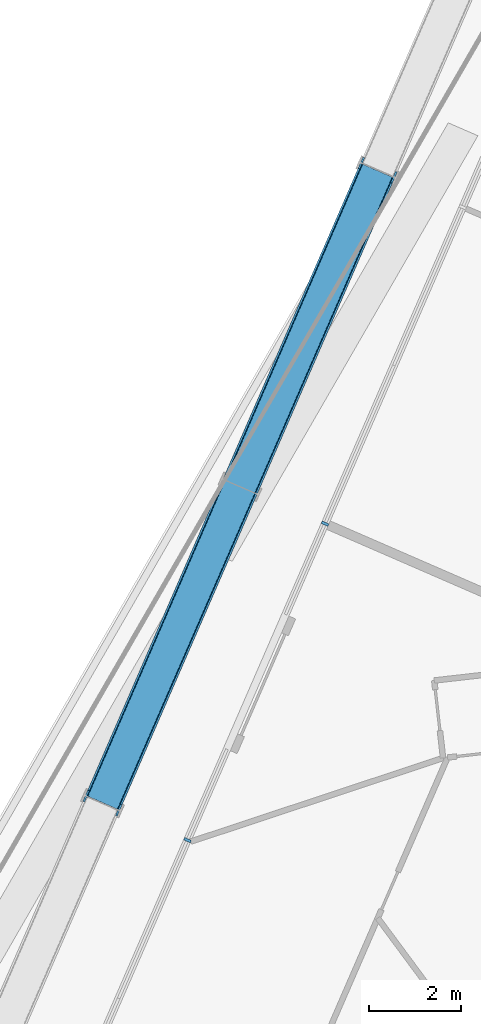
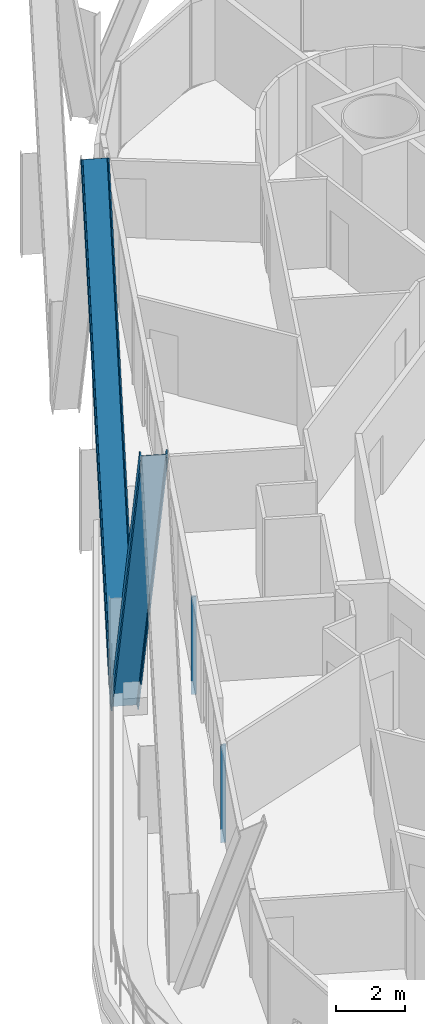
# One storey, part 5 of 32: 4 members, 1 element without a shape of its own.
"""IFC4 building model written with IfcOpenShell, lengths in metres."""

from ifc_helpers import new_model, si_unit, direction, frame, origin, origin_2d, place, context, subcontext, project, spatial, rectangle, i_section, extrude, material, layer, layer_set, material_profile, profile_set, type_object, element, aggregate, save


model = new_model("IFC4")

# Units and contexts
model_context = context("Model", 3, precision=1e-05, world=origin(), true_north=direction((0.0, 1.0)))
body_context = subcontext(model_context, "Body", "Model", "MODEL_VIEW")
ifc_project = project(units=[si_unit("LENGTHUNIT", "METRE"), si_unit("AREAUNIT", "SQUARE_METRE"), si_unit("VOLUMEUNIT", "CUBIC_METRE"), si_unit("PLANEANGLEUNIT", "RADIAN"), si_unit("MASSUNIT", "GRAM", prefix="KILO")], contexts=[model_context])

# Site, building, storey
site_placement = place(None, origin())
site = spatial("IfcSite", under=ifc_project, at=site_placement, CompositionType="ELEMENT")
building_placement = place(site_placement, origin())
building = spatial("IfcBuilding", under=site, at=building_placement, Name="Spindle Arch Residences", CompositionType="ELEMENT")
storey_placement = place(building_placement, frame((0.0, 0.0, 76.699951171875)))
storey = spatial("IfcBuildingStorey", under=building, at=storey_placement, Name="L17", CompositionType="ELEMENT", Elevation=76.699951171875)

# Curtain wall, members
ifc_material_1 = material(Name="Aluminium bronze unitised frame with tinted glass", Category="aluminium")
ifc_layer = layer(ifc_material_1, 0.159912109375)
ifc_layer_set = layer_set([ifc_layer], Name="CW-C typical residential unitised wall")
curtain_wall_type = type_object("IfcCurtainWallType", Name="CW-C typical residential unitised wall", PredefinedType="NOTDEFINED", material=ifc_layer_set)
curtain_wall_placement = place(storey_placement, origin())
curtain_wall = element("IfcCurtainWall", 1, at=curtain_wall_placement, inside=storey, type_object=curtain_wall_type, Name="CW-C L17 run 4", PredefinedType="NOTDEFINED")
ifc_material_2 = material(Name="Aluminium bronze anodised mullion", Category="aluminium")
ifc_material_profile_1 = material_profile(ifc_material_2, rectangle(XDim=0.159912109375, YDim=0.06005859375, at=origin_2d()), Name="MU 60x160")
ifc_profile_set_1 = profile_set([ifc_material_profile_1], Name="Aluminium bronze anodised mullion")
member_type_1 = type_object("IfcMemberType", Name="Bronze mullion 60x160", PredefinedType="MULLION", material=ifc_profile_set_1)
member_1_placement = place(storey_placement, frame((-19.232666015625, 4.26318359375, -0.449951171875), z_axis=(0.0, 0.0, 1.0), x_axis=(0.917060074385, -0.398749068925, 0.0)))
member_1 = element("IfcMember", 2, at=member_1_placement, type_object=member_type_1, Name="CW-C mullion 16", PredefinedType="MULLION", context=body_context, shape_type="SweptSolid", body=[
    extrude(rectangle(XDim=0.159912109375, YDim=0.06005859375, at=origin_2d()), origin(), (0.0, 0.0, 1.0), 3.449951171875),
])
member_2_placement = place(storey_placement, frame((-22.23095703125, -2.632080078125, -0.449951171875), z_axis=(0.0, 0.0, 1.0), x_axis=(0.917060074385, -0.398749068925, 0.0)))
member_2 = element("IfcMember", 3, at=member_2_placement, type_object=member_type_1, Name="CW-C mullion 17", PredefinedType="MULLION", context=body_context, shape_type="SweptSolid", body=[
    extrude(rectangle(XDim=0.159912109375, YDim=0.06005859375, at=origin_2d()), origin(), (0.0, 0.0, 1.0), 3.449951171875),
])
aggregate(curtain_wall, [member_1, member_2])

# Members
ifc_material_3 = material(Name="Steel S460ML, intumescent coating R 240", Category="steel")
ifc_material_profile_2 = material_profile(ifc_material_3, i_section(OverallWidth=0.302978515625, OverallDepth=0.81396484375, WebThickness=0.02099609375, FlangeThickness=0.0400390625, FilletRadius=0.030029296875, at=origin_2d()), Name="HEM 800")
ifc_profile_set_2 = profile_set([ifc_material_profile_2], Name="Steel S460ML, intumescent coating R 240")
member_type_2 = type_object("IfcMemberType", Name="Diagrid diagonal HEM 800", PredefinedType="BRACE", material=ifc_profile_set_2)
member_3_placement = place(storey_placement, frame((-21.085205078125, 5.068603515625, -0.699951171875), z_axis=(0.187929397713, 0.432222311043, 0.881967355015), x_axis=(-0.351673885572, -0.808821298878, 0.471310497112)))
element("IfcMember", 4, at=member_3_placement, inside=storey, type_object=member_type_2, Name="Diagrid diagonal 2.1.16", PredefinedType="BRACE", context=body_context, shape_type="SweptSolid", body=[
    extrude(i_section(OverallWidth=0.302978515625, OverallDepth=0.81396484375, WebThickness=0.02099609375, FlangeThickness=0.0400390625, FilletRadius=0.030029296875, at=origin_2d()), origin(), (0.0, 0.0, 1.0), 15.953125),
])
member_4_placement = place(storey_placement, frame((-21.085205078125, 5.068603515625, -0.699951171875), z_axis=(-0.187930640781, -0.4322098662, 0.88197318883), x_axis=(0.351686684083, 0.808822095429, 0.471299580081)))
element("IfcMember", 5, at=member_4_placement, inside=storey, type_object=member_type_2, Name="Diagrid diagonal 2.1.17", PredefinedType="BRACE", context=body_context, shape_type="SweptSolid", body=[
    extrude(i_section(OverallWidth=0.302978515625, OverallDepth=0.81396484375, WebThickness=0.02099609375, FlangeThickness=0.0400390625, FilletRadius=0.030029296875, at=origin_2d()), origin(), (0.0, 0.0, 1.0), 15.952880859375),
])

save(model, "model.ifc")
